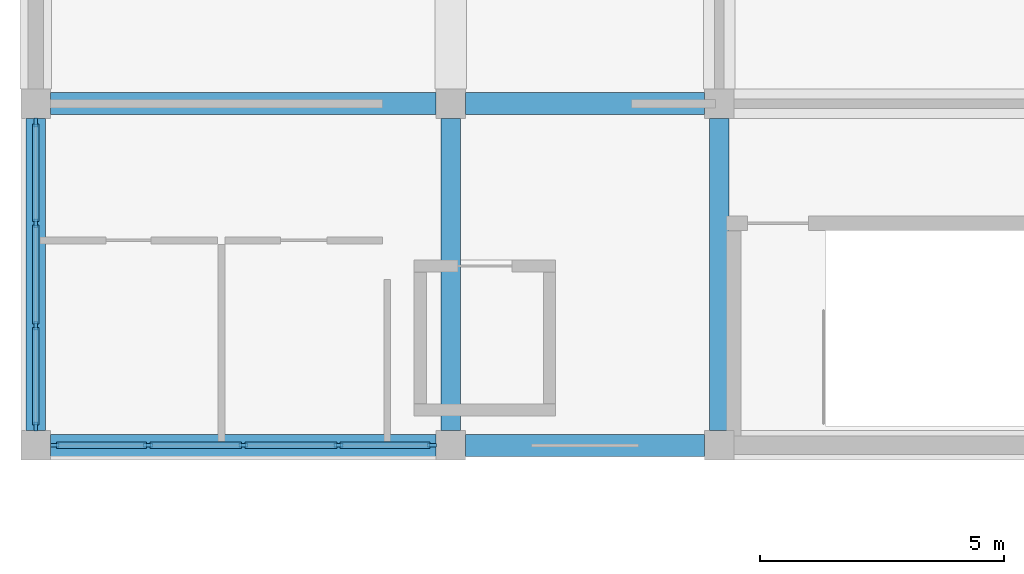
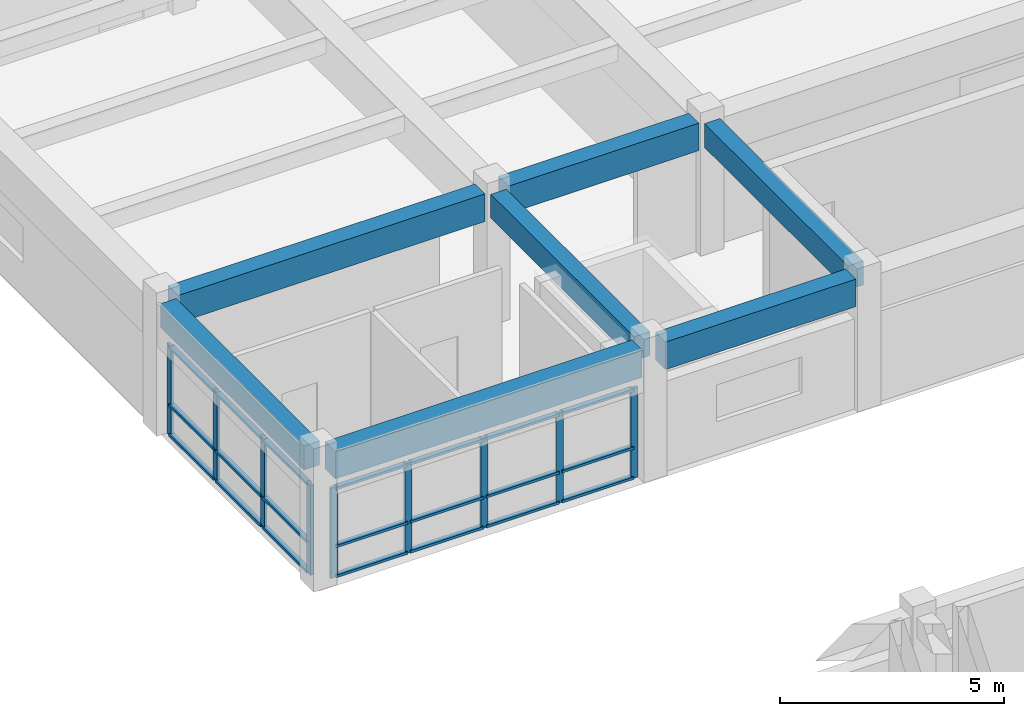
# One storey, part 10 of 66: 30 members, 7 beams, 2 elements without a shape of their own.
"""IFC4 building model written with IfcOpenShell, lengths in metres."""

from ifc_helpers import new_model, si_unit, direction, frame, origin, origin_2d, place, context, subcontext, project, spatial, rectangle, extrude, material, layer, layer_set, material_profile, profile_set, type_object, element, aggregate, save


model = new_model("IFC4")

# Units and contexts
model_context = context("Model", 3, precision=1e-05, world=origin(), true_north=direction((0.0, 1.0)))
body_context = subcontext(model_context, "Body", "Model", "MODEL_VIEW")
ifc_project = project(units=[si_unit("LENGTHUNIT", "METRE"), si_unit("AREAUNIT", "SQUARE_METRE"), si_unit("VOLUMEUNIT", "CUBIC_METRE"), si_unit("PLANEANGLEUNIT", "RADIAN"), si_unit("MASSUNIT", "GRAM", prefix="KILO")], contexts=[model_context])

# Site, building, storey
site_placement = place(None, origin())
site = spatial("IfcSite", under=ifc_project, at=site_placement, CompositionType="ELEMENT")
building_placement = place(site_placement, origin())
building = spatial("IfcBuilding", under=site, at=building_placement, Name="Naurynzar Civic Courthouse", CompositionType="ELEMENT")
storey_placement = place(building_placement, frame((0.0, 0.0, 14.39990234375)))
storey = spatial("IfcBuildingStorey", under=building, at=storey_placement, Name="L04", CompositionType="ELEMENT", Elevation=14.39990234375)

# Beams
ifc_material_1 = material(Name="Concrete C40/50", Category="concrete")
ifc_material_profile_1 = material_profile(ifc_material_1, rectangle(XDim=0.449951171875, YDim=0.75, at=origin_2d()), Name="RCF 450x750")
ifc_profile_set_1 = profile_set([ifc_material_profile_1], Name="Concrete C40/50")
beam_type_1 = type_object("IfcBeamType", Name="BM-FLD-450x750", PredefinedType="BEAM", material=ifc_profile_set_1)
beam_1_placement = place(storey_placement, frame((6.300048828125, 44.0, 3.205078125), z_axis=(1.0, 0.0, 0.0), x_axis=(0.0, 1.0, 0.0)))
element("IfcBeam", 1, at=beam_1_placement, inside=storey, type_object=beam_type_1, Name="V1 beam X-222 L04", PredefinedType="BEAM", context=body_context, shape_type="SweptSolid", body=[
    extrude(rectangle(XDim=0.449951171875, YDim=0.75, at=origin_2d()), origin(), (0.0, 0.0, 1.0), 7.89990234375),
])
beam_2_placement = place(storey_placement, frame((14.800048828125, 44.0, 3.205078125), z_axis=(1.0, 0.0, 0.0), x_axis=(0.0, 1.0, 0.0)))
element("IfcBeam", 2, at=beam_2_placement, inside=storey, type_object=beam_type_1, Name="V1 beam X-223 L04", PredefinedType="BEAM", context=body_context, shape_type="SweptSolid", body=[
    extrude(rectangle(XDim=0.449951171875, YDim=0.75, at=origin_2d()), origin(), (0.0, 0.0, 1.0), 4.89990234375),
])
beam_3_placement = place(storey_placement, frame((6.300048828125, 51.0, 3.205078125), z_axis=(1.0, 0.0, 0.0), x_axis=(0.0, 1.0, 0.0)))
element("IfcBeam", 3, at=beam_3_placement, inside=storey, type_object=beam_type_1, Name="V1 beam X-227 L04", PredefinedType="BEAM", context=body_context, shape_type="SweptSolid", body=[
    extrude(rectangle(XDim=0.449951171875, YDim=0.75, at=origin_2d()), origin(), (0.0, 0.0, 1.0), 7.89990234375),
])
beam_4_placement = place(storey_placement, frame((14.800048828125, 51.0, 3.205078125), z_axis=(1.0, 0.0, 0.0), x_axis=(0.0, 1.0, 0.0)))
element("IfcBeam", 4, at=beam_4_placement, inside=storey, type_object=beam_type_1, Name="V1 beam X-228 L04", PredefinedType="BEAM", context=body_context, shape_type="SweptSolid", body=[
    extrude(rectangle(XDim=0.449951171875, YDim=0.75, at=origin_2d()), origin(), (0.0, 0.0, 1.0), 4.89990234375),
])
ifc_material_2 = material(Name="Concrete C40/50", Category="concrete")
ifc_material_profile_2 = material_profile(ifc_material_2, rectangle(XDim=0.39990234375, YDim=0.64990234375, at=origin_2d()), Name="RCB 400x650")
ifc_profile_set_2 = profile_set([ifc_material_profile_2], Name="Concrete C40/50")
beam_type_2 = type_object("IfcBeamType", Name="BM-RC-400x650", PredefinedType="BEAM", material=ifc_profile_set_2)
for number, where, z_axis, x_axis, name in (
    (5, (6.0, 44.300048828125, 3.255126953125), (0.0, 1.0, 0.0), (-1.0, 0.0, 0.0), "V1 girder Y-242 L04"),
    (6, (14.5, 44.300048828125, 3.255126953125), (0.0, 1.0, 0.0), (-1.0, 0.0, 0.0), "V1 girder Y-245 L04"),
    (7, (20.0, 44.300048828125, 3.255126953125), (0.0, 1.0, 0.0), (-1.0, 0.0, 0.0), "V1 girder Y-248 L04"),
):
    element("IfcBeam", number, at=place(storey_placement, frame(where, z_axis=z_axis, x_axis=x_axis)), inside=storey, type_object=beam_type_2, Name=name, PredefinedType="BEAM", context=body_context, shape_type="SweptSolid", body=[
        extrude(rectangle(XDim=0.39990234375, YDim=0.64990234375, at=origin_2d()), origin(), (0.0, 0.0, 1.0), 6.39990234375),
    ])

# Curtain wall, members
ifc_material_3 = material(Name="Aluminium 6063-T6", Category="aluminium")
ifc_layer = layer(ifc_material_3, 0.159912109375)
ifc_layer_set = layer_set([ifc_layer], Name="CW-UNIT-1800")
curtain_wall_type = type_object("IfcCurtainWallType", Name="CW-UNIT-1800", PredefinedType="NOTDEFINED", material=ifc_layer_set)
curtain_wall_1_placement = place(storey_placement, origin())
curtain_wall_1 = element("IfcCurtainWall", 8, at=curtain_wall_1_placement, inside=storey, type_object=curtain_wall_type, Name="V1 unitised curtain wall 13 L04", PredefinedType="NOTDEFINED")
ifc_material_4 = material(Name="Aluminium 6063-T6", Category="aluminium")
ifc_material_profile_3 = material_profile(ifc_material_4, rectangle(XDim=0.070068359375, YDim=0.179931640625, at=origin_2d()), Name="ALU MULLION 70x180")
ifc_profile_set_3 = profile_set([ifc_material_profile_3], Name="Aluminium 6063-T6")
member_type_1 = type_object("IfcMemberType", Name="CWM-70x180", PredefinedType="MULLION", material=ifc_profile_set_3)
member_1_placement = place(storey_placement, frame((6.0, 44.385009765625, 0.0), z_axis=(0.0, 0.0, 1.0), x_axis=(-1.0, 0.0, 0.0)))
member_1 = element("IfcMember", 9, at=member_1_placement, type_object=member_type_1, Name="CW-02 mullion 1", PredefinedType="MULLION", context=body_context, shape_type="SweptSolid", body=[
    extrude(rectangle(XDim=0.070068359375, YDim=0.179931640625, at=origin_2d()), origin(), (0.0, 0.0, 1.0), 2.460205078125),
])
member_2_placement = place(storey_placement, frame((6.0, 46.449951171875, 0.0), z_axis=(0.0, 0.0, 1.0), x_axis=(-1.0, 0.0, 0.0)))
member_2 = element("IfcMember", 10, at=member_2_placement, type_object=member_type_1, Name="CW-02 mullion 2", PredefinedType="MULLION", context=body_context, shape_type="SweptSolid", body=[
    extrude(rectangle(XDim=0.070068359375, YDim=0.179931640625, at=origin_2d()), origin(), (0.0, 0.0, 1.0), 2.460205078125),
])
member_3_placement = place(storey_placement, frame((6.0, 48.550048828125, 0.0), z_axis=(0.0, 0.0, 1.0), x_axis=(-1.0, 0.0, 0.0)))
member_3 = element("IfcMember", 11, at=member_3_placement, type_object=member_type_1, Name="CW-02 mullion 3", PredefinedType="MULLION", context=body_context, shape_type="SweptSolid", body=[
    extrude(rectangle(XDim=0.070068359375, YDim=0.179931640625, at=origin_2d()), origin(), (0.0, 0.0, 1.0), 2.460205078125),
])
member_4_placement = place(storey_placement, frame((6.0, 50.614990234375, 0.0), z_axis=(0.0, 0.0, 1.0), x_axis=(-1.0, 0.0, 0.0)))
member_4 = element("IfcMember", 12, at=member_4_placement, type_object=member_type_1, Name="CW-02 mullion 4", PredefinedType="MULLION", context=body_context, shape_type="SweptSolid", body=[
    extrude(rectangle(XDim=0.070068359375, YDim=0.179931640625, at=origin_2d()), origin(), (0.0, 0.0, 1.0), 2.460205078125),
])

curtain_wall_2_placement = place(storey_placement, origin())
curtain_wall_2 = element("IfcCurtainWall", 13, at=curtain_wall_2_placement, inside=storey, type_object=curtain_wall_type, Name="V1 unitised curtain wall 18 L04", PredefinedType="NOTDEFINED")
member_5_placement = place(storey_placement, frame((14.114990234375, 44.0, 0.0), z_axis=(0.0, 0.0, 1.0), x_axis=(0.0, -1.0, 0.0)))
member_5 = element("IfcMember", 14, at=member_5_placement, type_object=member_type_1, Name="CW-02 mullion 1", PredefinedType="MULLION", context=body_context, shape_type="SweptSolid", body=[
    extrude(rectangle(XDim=0.070068359375, YDim=0.179931640625, at=origin_2d()), origin(), (0.0, 0.0, 1.0), 2.460205078125),
])
member_6_placement = place(storey_placement, frame((12.199951171875, 44.0, 0.0), z_axis=(0.0, 0.0, 1.0), x_axis=(0.0, -1.0, 0.0)))
member_6 = element("IfcMember", 15, at=member_6_placement, type_object=member_type_1, Name="CW-02 mullion 2", PredefinedType="MULLION", context=body_context, shape_type="SweptSolid", body=[
    extrude(rectangle(XDim=0.070068359375, YDim=0.179931640625, at=origin_2d()), origin(), (0.0, 0.0, 1.0), 2.460205078125),
])
member_7_placement = place(storey_placement, frame((10.25, 44.0, 0.0), z_axis=(0.0, 0.0, 1.0), x_axis=(0.0, -1.0, 0.0)))
member_7 = element("IfcMember", 16, at=member_7_placement, type_object=member_type_1, Name="CW-02 mullion 3", PredefinedType="MULLION", context=body_context, shape_type="SweptSolid", body=[
    extrude(rectangle(XDim=0.070068359375, YDim=0.179931640625, at=origin_2d()), origin(), (0.0, 0.0, 1.0), 2.460205078125),
])
member_8_placement = place(storey_placement, frame((8.300048828125, 44.0, 0.0), z_axis=(0.0, 0.0, 1.0), x_axis=(0.0, -1.0, 0.0)))
member_8 = element("IfcMember", 17, at=member_8_placement, type_object=member_type_1, Name="CW-02 mullion 4", PredefinedType="MULLION", context=body_context, shape_type="SweptSolid", body=[
    extrude(rectangle(XDim=0.070068359375, YDim=0.179931640625, at=origin_2d()), origin(), (0.0, 0.0, 1.0), 2.460205078125),
])
member_9_placement = place(storey_placement, frame((6.385009765625, 44.0, 0.0), z_axis=(0.0, 0.0, 1.0), x_axis=(0.0, -1.0, 0.0)))
member_9 = element("IfcMember", 18, at=member_9_placement, type_object=member_type_1, Name="CW-02 mullion 5", PredefinedType="MULLION", context=body_context, shape_type="SweptSolid", body=[
    extrude(rectangle(XDim=0.070068359375, YDim=0.179931640625, at=origin_2d()), origin(), (0.0, 0.0, 1.0), 2.460205078125),
])

# Member
ifc_material_5 = material(Name="Aluminium 6063-T6", Category="aluminium")
ifc_material_profile_4 = material_profile(ifc_material_5, rectangle(XDim=0.1298828125, YDim=0.070068359375, at=origin_2d()), Name="ALU TRANSOM 70x130")
ifc_profile_set_4 = profile_set([ifc_material_profile_4], Name="Aluminium 6063-T6")
member_type_2 = type_object("IfcMemberType", Name="CWT-70x130", PredefinedType="USERDEFINED", material=ifc_profile_set_4)
member_10_placement = place(storey_placement, frame((6.0, 44.419921875, 0.03515625), z_axis=(0.0, 1.0, 0.0), x_axis=(-1.0, 0.0, 0.0)))
member_10 = element("IfcMember", 19, at=member_10_placement, type_object=member_type_2, Name="CW-02 transom 1.1", ObjectType="TRANSOM", PredefinedType="USERDEFINED", context=body_context, shape_type="SweptSolid", body=[
    extrude(rectangle(XDim=0.1298828125, YDim=0.070068359375, at=origin_2d()), origin(), (0.0, 0.0, 1.0), 1.9951171875),
])

member_11_placement = place(storey_placement, frame((6.0, 44.419921875, 0.85009765625), z_axis=(0.0, 1.0, 0.0), x_axis=(-1.0, 0.0, 0.0)))
member_11 = element("IfcMember", 20, at=member_11_placement, type_object=member_type_2, Name="CW-02 transom 1.2", ObjectType="TRANSOM", PredefinedType="USERDEFINED", context=body_context, shape_type="SweptSolid", body=[
    extrude(rectangle(XDim=0.1298828125, YDim=0.070068359375, at=origin_2d()), origin(), (0.0, 0.0, 1.0), 1.9951171875),
])

member_12_placement = place(storey_placement, frame((6.0, 44.419921875, 2.425048828125), z_axis=(0.0, 1.0, 0.0), x_axis=(-1.0, 0.0, 0.0)))
member_12 = element("IfcMember", 21, at=member_12_placement, type_object=member_type_2, Name="CW-02 transom 1.3", ObjectType="TRANSOM", PredefinedType="USERDEFINED", context=body_context, shape_type="SweptSolid", body=[
    extrude(rectangle(XDim=0.1298828125, YDim=0.070068359375, at=origin_2d()), origin(), (0.0, 0.0, 1.0), 1.9951171875),
])

member_13_placement = place(storey_placement, frame((6.0, 46.485107421875, 0.03515625), z_axis=(0.0, 1.0, 0.0), x_axis=(-1.0, 0.0, 0.0)))
member_13 = element("IfcMember", 22, at=member_13_placement, type_object=member_type_2, Name="CW-02 transom 2.1", ObjectType="TRANSOM", PredefinedType="USERDEFINED", context=body_context, shape_type="SweptSolid", body=[
    extrude(rectangle(XDim=0.1298828125, YDim=0.070068359375, at=origin_2d()), origin(), (0.0, 0.0, 1.0), 2.02978515625),
])

member_14_placement = place(storey_placement, frame((6.0, 46.485107421875, 0.85009765625), z_axis=(0.0, 1.0, 0.0), x_axis=(-1.0, 0.0, 0.0)))
member_14 = element("IfcMember", 23, at=member_14_placement, type_object=member_type_2, Name="CW-02 transom 2.2", ObjectType="TRANSOM", PredefinedType="USERDEFINED", context=body_context, shape_type="SweptSolid", body=[
    extrude(rectangle(XDim=0.1298828125, YDim=0.070068359375, at=origin_2d()), origin(), (0.0, 0.0, 1.0), 2.02978515625),
])

member_15_placement = place(storey_placement, frame((6.0, 46.485107421875, 2.425048828125), z_axis=(0.0, 1.0, 0.0), x_axis=(-1.0, 0.0, 0.0)))
member_15 = element("IfcMember", 24, at=member_15_placement, type_object=member_type_2, Name="CW-02 transom 2.3", ObjectType="TRANSOM", PredefinedType="USERDEFINED", context=body_context, shape_type="SweptSolid", body=[
    extrude(rectangle(XDim=0.1298828125, YDim=0.070068359375, at=origin_2d()), origin(), (0.0, 0.0, 1.0), 2.02978515625),
])

member_16_placement = place(storey_placement, frame((6.0, 48.5849609375, 0.03515625), z_axis=(0.0, 1.0, 0.0), x_axis=(-1.0, 0.0, 0.0)))
member_16 = element("IfcMember", 25, at=member_16_placement, type_object=member_type_2, Name="CW-02 transom 3.1", ObjectType="TRANSOM", PredefinedType="USERDEFINED", context=body_context, shape_type="SweptSolid", body=[
    extrude(rectangle(XDim=0.1298828125, YDim=0.070068359375, at=origin_2d()), origin(), (0.0, 0.0, 1.0), 1.9951171875),
])

member_17_placement = place(storey_placement, frame((6.0, 48.5849609375, 0.85009765625), z_axis=(0.0, 1.0, 0.0), x_axis=(-1.0, 0.0, 0.0)))
member_17 = element("IfcMember", 26, at=member_17_placement, type_object=member_type_2, Name="CW-02 transom 3.2", ObjectType="TRANSOM", PredefinedType="USERDEFINED", context=body_context, shape_type="SweptSolid", body=[
    extrude(rectangle(XDim=0.1298828125, YDim=0.070068359375, at=origin_2d()), origin(), (0.0, 0.0, 1.0), 1.9951171875),
])

member_18_placement = place(storey_placement, frame((6.0, 48.5849609375, 2.425048828125), z_axis=(0.0, 1.0, 0.0), x_axis=(-1.0, 0.0, 0.0)))
member_18 = element("IfcMember", 27, at=member_18_placement, type_object=member_type_2, Name="CW-02 transom 3.3", ObjectType="TRANSOM", PredefinedType="USERDEFINED", context=body_context, shape_type="SweptSolid", body=[
    extrude(rectangle(XDim=0.1298828125, YDim=0.070068359375, at=origin_2d()), origin(), (0.0, 0.0, 1.0), 1.9951171875),
])

aggregate(curtain_wall_1, [member_1, member_2, member_3, member_4, member_10, member_11, member_12, member_13, member_14, member_15, member_16, member_17, member_18])

member_19_placement = place(storey_placement, frame((14.080078125, 44.0, 0.03515625), z_axis=(-1.0, 0.0, 0.0), x_axis=(0.0, -1.0, 0.0)))
member_19 = element("IfcMember", 28, at=member_19_placement, type_object=member_type_2, Name="CW-02 transom 1.1", ObjectType="TRANSOM", PredefinedType="USERDEFINED", context=body_context, shape_type="SweptSolid", body=[
    extrude(rectangle(XDim=0.1298828125, YDim=0.070068359375, at=origin_2d()), origin(), (0.0, 0.0, 1.0), 1.844970703125),
])

member_20_placement = place(storey_placement, frame((14.080078125, 44.0, 0.85009765625), z_axis=(-1.0, 0.0, 0.0), x_axis=(0.0, -1.0, 0.0)))
member_20 = element("IfcMember", 29, at=member_20_placement, type_object=member_type_2, Name="CW-02 transom 1.2", ObjectType="TRANSOM", PredefinedType="USERDEFINED", context=body_context, shape_type="SweptSolid", body=[
    extrude(rectangle(XDim=0.1298828125, YDim=0.070068359375, at=origin_2d()), origin(), (0.0, 0.0, 1.0), 1.844970703125),
])

member_21_placement = place(storey_placement, frame((14.080078125, 44.0, 2.425048828125), z_axis=(-1.0, 0.0, 0.0), x_axis=(0.0, -1.0, 0.0)))
member_21 = element("IfcMember", 30, at=member_21_placement, type_object=member_type_2, Name="CW-02 transom 1.3", ObjectType="TRANSOM", PredefinedType="USERDEFINED", context=body_context, shape_type="SweptSolid", body=[
    extrude(rectangle(XDim=0.1298828125, YDim=0.070068359375, at=origin_2d()), origin(), (0.0, 0.0, 1.0), 1.844970703125),
])

member_22_placement = place(storey_placement, frame((12.1650390625, 44.0, 0.03515625), z_axis=(-1.0, 0.0, 0.0), x_axis=(0.0, -1.0, 0.0)))
member_22 = element("IfcMember", 31, at=member_22_placement, type_object=member_type_2, Name="CW-02 transom 2.1", ObjectType="TRANSOM", PredefinedType="USERDEFINED", context=body_context, shape_type="SweptSolid", body=[
    extrude(rectangle(XDim=0.1298828125, YDim=0.070068359375, at=origin_2d()), origin(), (0.0, 0.0, 1.0), 1.880126953125),
])

member_23_placement = place(storey_placement, frame((12.1650390625, 44.0, 0.85009765625), z_axis=(-1.0, 0.0, 0.0), x_axis=(0.0, -1.0, 0.0)))
member_23 = element("IfcMember", 32, at=member_23_placement, type_object=member_type_2, Name="CW-02 transom 2.2", ObjectType="TRANSOM", PredefinedType="USERDEFINED", context=body_context, shape_type="SweptSolid", body=[
    extrude(rectangle(XDim=0.1298828125, YDim=0.070068359375, at=origin_2d()), origin(), (0.0, 0.0, 1.0), 1.880126953125),
])

member_24_placement = place(storey_placement, frame((12.1650390625, 44.0, 2.425048828125), z_axis=(-1.0, 0.0, 0.0), x_axis=(0.0, -1.0, 0.0)))
member_24 = element("IfcMember", 33, at=member_24_placement, type_object=member_type_2, Name="CW-02 transom 2.3", ObjectType="TRANSOM", PredefinedType="USERDEFINED", context=body_context, shape_type="SweptSolid", body=[
    extrude(rectangle(XDim=0.1298828125, YDim=0.070068359375, at=origin_2d()), origin(), (0.0, 0.0, 1.0), 1.880126953125),
])

member_25_placement = place(storey_placement, frame((10.215087890625, 44.0, 0.03515625), z_axis=(-1.0, 0.0, 0.0), x_axis=(0.0, -1.0, 0.0)))
member_25 = element("IfcMember", 34, at=member_25_placement, type_object=member_type_2, Name="CW-02 transom 3.1", ObjectType="TRANSOM", PredefinedType="USERDEFINED", context=body_context, shape_type="SweptSolid", body=[
    extrude(rectangle(XDim=0.1298828125, YDim=0.070068359375, at=origin_2d()), origin(), (0.0, 0.0, 1.0), 1.880126953125),
])

member_26_placement = place(storey_placement, frame((10.215087890625, 44.0, 0.85009765625), z_axis=(-1.0, 0.0, 0.0), x_axis=(0.0, -1.0, 0.0)))
member_26 = element("IfcMember", 35, at=member_26_placement, type_object=member_type_2, Name="CW-02 transom 3.2", ObjectType="TRANSOM", PredefinedType="USERDEFINED", context=body_context, shape_type="SweptSolid", body=[
    extrude(rectangle(XDim=0.1298828125, YDim=0.070068359375, at=origin_2d()), origin(), (0.0, 0.0, 1.0), 1.880126953125),
])

member_27_placement = place(storey_placement, frame((10.215087890625, 44.0, 2.425048828125), z_axis=(-1.0, 0.0, 0.0), x_axis=(0.0, -1.0, 0.0)))
member_27 = element("IfcMember", 36, at=member_27_placement, type_object=member_type_2, Name="CW-02 transom 3.3", ObjectType="TRANSOM", PredefinedType="USERDEFINED", context=body_context, shape_type="SweptSolid", body=[
    extrude(rectangle(XDim=0.1298828125, YDim=0.070068359375, at=origin_2d()), origin(), (0.0, 0.0, 1.0), 1.880126953125),
])

member_28_placement = place(storey_placement, frame((8.264892578125, 44.0, 0.03515625), z_axis=(-1.0, 0.0, 0.0), x_axis=(0.0, -1.0, 0.0)))
member_28 = element("IfcMember", 37, at=member_28_placement, type_object=member_type_2, Name="CW-02 transom 4.1", ObjectType="TRANSOM", PredefinedType="USERDEFINED", context=body_context, shape_type="SweptSolid", body=[
    extrude(rectangle(XDim=0.1298828125, YDim=0.070068359375, at=origin_2d()), origin(), (0.0, 0.0, 1.0), 1.844970703125),
])

member_29_placement = place(storey_placement, frame((8.264892578125, 44.0, 0.85009765625), z_axis=(-1.0, 0.0, 0.0), x_axis=(0.0, -1.0, 0.0)))
member_29 = element("IfcMember", 38, at=member_29_placement, type_object=member_type_2, Name="CW-02 transom 4.2", ObjectType="TRANSOM", PredefinedType="USERDEFINED", context=body_context, shape_type="SweptSolid", body=[
    extrude(rectangle(XDim=0.1298828125, YDim=0.070068359375, at=origin_2d()), origin(), (0.0, 0.0, 1.0), 1.844970703125),
])

member_30_placement = place(storey_placement, frame((8.264892578125, 44.0, 2.425048828125), z_axis=(-1.0, 0.0, 0.0), x_axis=(0.0, -1.0, 0.0)))
member_30 = element("IfcMember", 39, at=member_30_placement, type_object=member_type_2, Name="CW-02 transom 4.3", ObjectType="TRANSOM", PredefinedType="USERDEFINED", context=body_context, shape_type="SweptSolid", body=[
    extrude(rectangle(XDim=0.1298828125, YDim=0.070068359375, at=origin_2d()), origin(), (0.0, 0.0, 1.0), 1.844970703125),
])

aggregate(curtain_wall_2, [member_5, member_6, member_7, member_8, member_9, member_19, member_20, member_21, member_22, member_23, member_24, member_25, member_26, member_27, member_28, member_29, member_30])

save(model, "model.ifc")
